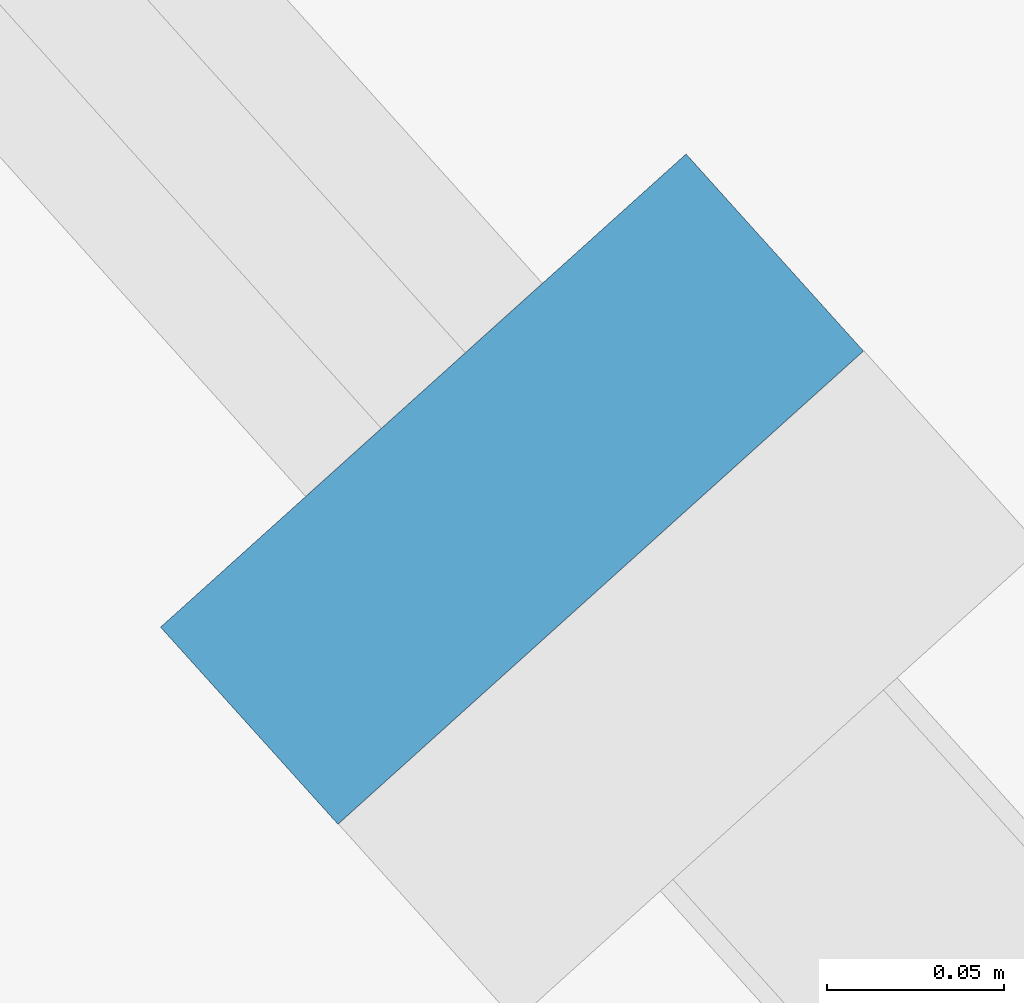
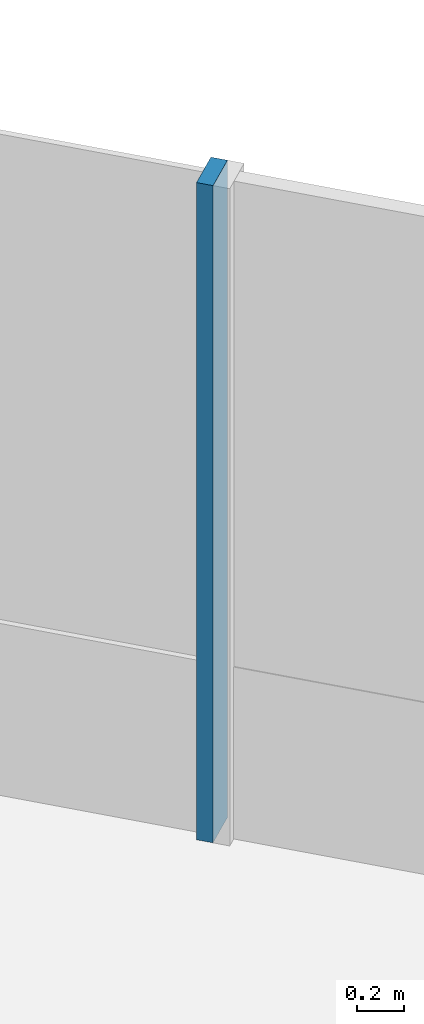
# One storey, part 8 of 15: 1 member, 1 element without a shape of its own.
"""IFC4 building model written with IfcOpenShell, lengths in metres."""

from ifc_helpers import new_model, si_unit, direction, frame, origin, origin_2d, place, context, subcontext, project, spatial, rectangle, extrude, source, transform, mapped, material, material_profile, profile_set, type_object, element, aggregate, save


model = new_model("IFC4")

# Units and contexts
model_context = context("Model", 3, precision=1e-05, world=origin(), true_north=direction((0.0, 1.0)))
body_context = subcontext(model_context, "Body", "Model", "MODEL_VIEW")
ifc_project = project(units=[si_unit("LENGTHUNIT", "METRE"), si_unit("AREAUNIT", "SQUARE_METRE"), si_unit("VOLUMEUNIT", "CUBIC_METRE"), si_unit("PLANEANGLEUNIT", "RADIAN"), si_unit("MASSUNIT", "GRAM", prefix="KILO")], contexts=[model_context])

# Site, building, storey
site_placement = place(None, origin())
site = spatial("IfcSite", under=ifc_project, at=site_placement, CompositionType="ELEMENT")
building_placement = place(site_placement, origin())
building = spatial("IfcBuilding", under=site, at=building_placement, Name="Triune Harvest Tower", CompositionType="ELEMENT")
storey_placement = place(building_placement, frame((0.0, 0.0, 270.300048828125)))
storey = spatial("IfcBuildingStorey", under=building, at=storey_placement, Name="L71", CompositionType="ELEMENT", Elevation=270.300048828125)

# Curtain wall, member
ifc_material_1 = material(Name="Aluminium bronze anodised", Category="aluminium")
curtain_wall_type = type_object("IfcCurtainWallType", Name="CW-1 Tower stick curtain wall", PredefinedType="NOTDEFINED", material=ifc_material_1)
curtain_wall_placement = place(storey_placement, origin())
curtain_wall = element("IfcCurtainWall", 1, at=curtain_wall_placement, inside=storey, type_object=curtain_wall_type, Name="CW-1 B7-F1 L71 run 2001")
ifc_material_2 = material(Name="Aluminium bronze anodised", Category="aluminium")
ifc_material_profile = material_profile(ifc_material_2, rectangle(XDim=0.199951171875, YDim=0.074951171875, at=origin_2d()), Name="MU-1 mullion 75 x 200")
ifc_profile_set = profile_set([ifc_material_profile], Name="Aluminium bronze anodised")
member_type = type_object("IfcMemberType", Name="MU-1 mullion 75 x 200", PredefinedType="MULLION", material=ifc_profile_set)
shared_shape = source(origin(), body_context, "Body", "SweptSolid", [
    extrude(rectangle(XDim=0.199951171875, YDim=0.074951171875, at=origin_2d()), origin(), (0.0, 0.0, 1.0), 3.43994140625),
])
member_placement = place(storey_placement, frame((7.387939453125, 20.682861328125, 0.0), z_axis=(0.0, 0.0, 1.0), x_axis=(-0.743144053222, -0.669131464034, 0.0)))
member = element("IfcMember", 2, at=member_placement, type_object=member_type, Name="CW-1 mullion B7-F1 2001.1", PredefinedType="MULLION", context=body_context, shape_type="MappedRepresentation", body=[
    mapped(shared_shape, transform((0.0, 0.0, 0.0), scale=1.0)),
])
aggregate(curtain_wall, [member])

save(model, "model.ifc")
